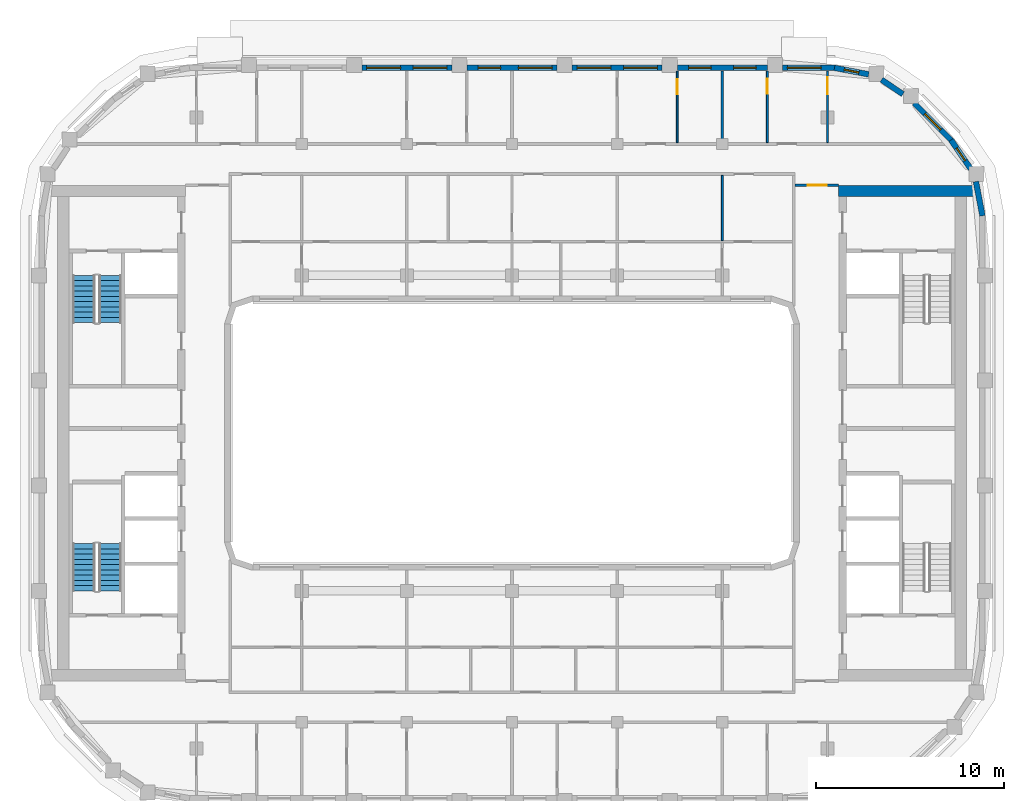
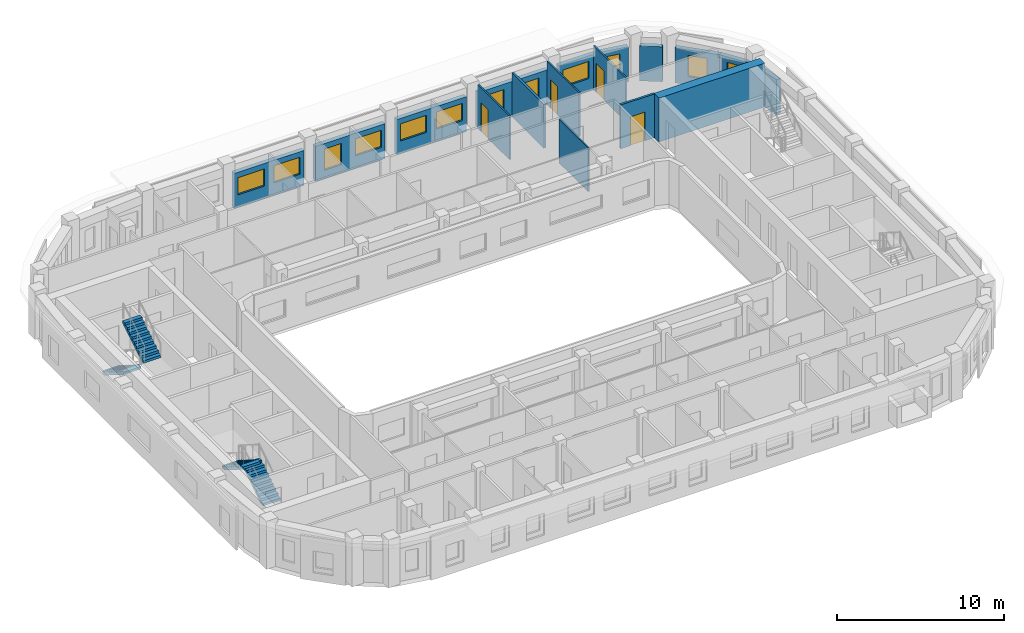
# One storey, part 8 of 16: 17 walls, 12 windows, 4 doors, 4 stair flights, 16 openings, 2 elements without a shape of their own.
"""IFC4 building model written with IfcOpenShell, lengths in metres."""

import ifcopenshell
import ifcopenshell.guid

model = None  # the IFC model being written
_history = None  # IfcOwnerHistory: only IFC2X3 demands one
_inside = {}  # id of a spatial element -> (the spatial element, [elements in it])
_under = {}  # id of a project, library or spatial element -> (it, [spatial elements below it])
_declared = {}  # id of a project -> (the project, [libraries it declares])
_typed = {}  # id of a type object -> (the type object, [elements of that type])
_made_of = {}  # id of a material, layer set ... -> (it, [elements and type objects made of it])


def new_model(schema):
    """Start an empty IFC model of exactly this schema.

    Asked for "IFC4X3", IfcOpenShell would pick the latest addendum, in which some entities
    have other attributes; the version numbers below select the first issue.
    IFC2X3 requires an IfcOwnerHistory on every rooted entity: one is made here for all.
    """
    global model, _history
    if schema == "IFC4X3":
        model = ifcopenshell.file(schema_version=(4, 3, 0, 0))
    else:
        model = ifcopenshell.file(schema=schema)
    _inside.clear()
    _under.clear()
    _declared.clear()
    _typed.clear()
    _made_of.clear()
    _history = None
    if model.schema == "IFC2X3":
        org = make("IfcOrganization", Name="unknown")
        user = make(
            "IfcPersonAndOrganization",
            ThePerson=make("IfcPerson", FamilyName="unknown"),
            TheOrganization=org,
        )
        app = make(
            "IfcApplication",
            ApplicationDeveloper=org,
            Version="unknown",
            ApplicationFullName="unknown",
            ApplicationIdentifier="unknown",
        )
        _history = make(
            "IfcOwnerHistory",
            OwningUser=user,
            OwningApplication=app,
            ChangeAction="ADDED",
            CreationDate=0,
        )
    return model


def make(cls, **values):
    """One entity of the class cls with the attributes given. An attribute that is None is left unset."""
    return model.create_entity(
        cls, **{name: value for name, value in values.items() if value is not None}
    )


def rooted(cls, **values):
    """An entity with a GlobalId (a new one), such as an element, a storey or a relation."""
    return make(cls, GlobalId=ifcopenshell.guid.new(), OwnerHistory=_history, **values)


def si_unit(unit_type, name, prefix=None):
    """IfcSIUnit, for example si_unit("LENGTHUNIT", "METRE", prefix="MILLI")."""
    return make("IfcSIUnit", UnitType=unit_type, Prefix=prefix, Name=name)


def assignment(units):
    """IfcUnitAssignment: the units of a project."""
    return None if units is None else make("IfcUnitAssignment", Units=units)


def point(xyz):
    """IfcCartesianPoint."""
    return None if xyz is None else make("IfcCartesianPoint", Coordinates=xyz)


def direction(xyz):
    """IfcDirection."""
    return None if xyz is None else make("IfcDirection", DirectionRatios=xyz)


def frame(location, z_axis=None, x_axis=None):
    """IfcAxis2Placement3D, a coordinate frame: its origin and axes. An axis left out is left unset."""
    return make(
        "IfcAxis2Placement3D",
        Location=point(location),
        Axis=direction(z_axis),
        RefDirection=direction(x_axis),
    )


def frame_2d(location, x_axis=None):
    """IfcAxis2Placement2D, a coordinate frame in the plane: its origin and x axis."""
    return make(
        "IfcAxis2Placement2D", Location=point(location), RefDirection=direction(x_axis)
    )


def origin():
    """The frame at (0, 0, 0) with its axes left unset."""
    return frame((0.0, 0.0, 0.0))


def place(relative_to, where):
    """IfcLocalPlacement: puts the frame where relative to a parent placement (None: the world)."""
    return make(
        "IfcLocalPlacement", PlacementRelTo=relative_to, RelativePlacement=where
    )


def context(
    kind, dimensions, precision=None, world=None, true_north=None, identifier=None
):
    """IfcGeometricRepresentationContext, for example the 3D "Model" context."""
    return make(
        "IfcGeometricRepresentationContext",
        ContextIdentifier=identifier,
        ContextType=kind,
        CoordinateSpaceDimension=dimensions,
        Precision=precision,
        WorldCoordinateSystem=world,
        TrueNorth=true_north,
    )


def subcontext(parent, identifier, kind, view, scale=None):
    """IfcGeometricRepresentationSubContext, for example "Body" below "Model"."""
    return make(
        "IfcGeometricRepresentationSubContext",
        ContextIdentifier=identifier,
        ContextType=kind,
        ParentContext=parent,
        TargetScale=scale,
        TargetView=view,
    )


def project(units=None, contexts=None):
    """IfcProject with its units and contexts."""
    return rooted(
        "IfcProject",
        Name="project",
        RepresentationContexts=contexts,
        UnitsInContext=assignment(units),
    )


def spatial(cls, under=None, at=None, **own):
    """A site, building, storey or space (cls), placed at a placement, below another one or the project."""
    s = rooted(cls, ObjectPlacement=at, **own)
    if under is not None:
        _under.setdefault(under.id(), (under, []))[1].append(s)
    return s


def polyline(points):
    """IfcPolyline through the points."""
    return make("IfcPolyline", Points=[point(p) for p in points])


def profile(cls, at=None, kind="AREA", **sizes):
    """A parametric profile (cls). Its sizes go by their IFC names, for example OverallWidth=200.0."""
    return make(cls, ProfileType=kind, Position=at, **sizes)


def rectangle(**sizes):
    """IfcRectangleProfileDef."""
    return profile("IfcRectangleProfileDef", **sizes)


def outline(outer, holes=None, kind="AREA"):
    """IfcArbitraryClosedProfileDef: a profile drawn as a closed curve; with holes, ...WithVoids."""
    if holes is None:
        return make("IfcArbitraryClosedProfileDef", ProfileType=kind, OuterCurve=outer)
    return make(
        "IfcArbitraryProfileDefWithVoids",
        ProfileType=kind,
        OuterCurve=outer,
        InnerCurves=holes,
    )


def extrude(swept, where, along, depth):
    """IfcExtrudedAreaSolid: the profile swept, set in the frame where, extruded along a direction by depth."""
    return make(
        "IfcExtrudedAreaSolid",
        SweptArea=swept,
        Position=where,
        ExtrudedDirection=direction(along),
        Depth=depth,
    )


def shape(context_of_items, identifier, shape_type, items):
    """IfcShapeRepresentation: the items that make up one representation, for example the "Body"."""
    return make(
        "IfcShapeRepresentation",
        ContextOfItems=context_of_items,
        RepresentationIdentifier=identifier,
        RepresentationType=shape_type,
        Items=items,
    )


def material(Name=None, Category=None):
    """IfcMaterial."""
    return make("IfcMaterial", Name=Name, Category=Category)


def layer(
    of_material, thickness, ventilated=None, Name=None, Category=None, Priority=None
):
    """IfcMaterialLayer: one layer of a wall or slab, of a material (None: an air gap)."""
    return make(
        "IfcMaterialLayer",
        Material=of_material,
        LayerThickness=thickness,
        IsVentilated=ventilated,
        Name=Name,
        Category=Category,
        Priority=Priority,
    )


def layer_set(layers, Name=None):
    """IfcMaterialLayerSet."""
    return make("IfcMaterialLayerSet", MaterialLayers=layers, LayerSetName=Name)


def made_of(thing, what):
    """Note that an element or type object is made of a material, layer set ...; save() writes the relation."""
    if what is not None:
        _made_of.setdefault(what.id(), (what, []))[1].append(thing)
    return thing


def type_object(cls, material=None, **own):
    """A type object (cls), such as IfcWallType, which elements share."""
    return made_of(rooted(cls, **own), material)


def element(
    cls,
    number,
    at=None,
    inside=None,
    cuts=None,
    type_object=None,
    material=None,
    context=None,
    identifier="Body",
    shape_type=None,
    held_by="IfcProductDefinitionShape",
    body=None,
    shapes=None,
    **own,
):
    """One element of the class cls, such as IfcWall. Its Tag is "e" and its number.

    at: its placement. inside: the storey or other place that contains it. cuts: it is an
    opening in that element (IfcRelVoidsElement). A single representation is given by context,
    identifier, shape_type and body (its items); several are given by shapes. held_by: the class
    of the entity that holds the representations. save() writes the other relations.
    """
    e = rooted(cls, Tag="e%d" % number, ObjectPlacement=at, **own)
    if body is not None:
        shapes = [shape(context, identifier, shape_type, body)]
    if shapes is not None:
        e.Representation = make(held_by, Representations=shapes)
    if inside is not None:
        _inside.setdefault(inside.id(), (inside, []))[1].append(e)
    if cuts is not None:
        rooted(
            "IfcRelVoidsElement", RelatingBuildingElement=cuts, RelatedOpeningElement=e
        )
    if type_object is not None:
        _typed.setdefault(type_object.id(), (type_object, []))[1].append(e)
    return made_of(e, material)


def fill(opening, filler):
    """IfcRelFillsElement: the door or window that sits in an opening."""
    return rooted(
        "IfcRelFillsElement",
        RelatingOpeningElement=opening,
        RelatedBuildingElement=filler,
    )


def aggregate(whole, parts):
    """IfcRelAggregates: a whole, such as a stair, and the parts it consists of."""
    return rooted("IfcRelAggregates", RelatingObject=whole, RelatedObjects=parts)


def save(model, path):
    """Write the relations noted so far, then the file.

    IfcRelAggregates (storeys below a building ...), IfcRelContainedInSpatialStructure (elements
    in a storey), IfcRelDefinesByType, IfcRelAssociatesMaterial and IfcRelDeclares: one each for
    every whole, place, type object, material and project.
    """
    for whole, parts in _under.values():
        aggregate(whole, parts)
    for where, things in _inside.values():
        rooted(
            "IfcRelContainedInSpatialStructure",
            RelatedElements=things,
            RelatingStructure=where,
        )
    for kind, things in _typed.values():
        rooted("IfcRelDefinesByType", RelatedObjects=things, RelatingType=kind)
    for what, things in _made_of.values():
        rooted("IfcRelAssociatesMaterial", RelatedObjects=things, RelatingMaterial=what)
    for by, libraries in _declared.values():
        rooted("IfcRelDeclares", RelatingContext=by, RelatedDefinitions=libraries)
    model.write(path)


model = new_model("IFC4")

# Units and contexts
model_context = context("Model", 3, precision=1e-05, world=origin(), true_north=direction((0.0, 1.0)))
body_context = subcontext(model_context, "Body", "Model", "MODEL_VIEW")
ifc_project = project(units=[si_unit("LENGTHUNIT", "METRE"), si_unit("AREAUNIT", "SQUARE_METRE"), si_unit("VOLUMEUNIT", "CUBIC_METRE"), si_unit("PLANEANGLEUNIT", "RADIAN"), si_unit("MASSUNIT", "GRAM", prefix="KILO")], contexts=[model_context])

# Site, building, storey
site_placement = place(None, origin())
site = spatial("IfcSite", under=ifc_project, at=site_placement, CompositionType="ELEMENT")
building_placement = place(site_placement, origin())
building = spatial("IfcBuilding", under=site, at=building_placement, Name="Kiln Ring Residences", CompositionType="ELEMENT")
storey_placement = place(building_placement, frame((0.0, 0.0, 259.199951171875)))
storey = spatial("IfcBuildingStorey", under=building, at=storey_placement, Name="L67", CompositionType="ELEMENT", Elevation=259.199951171875)

# Walls
ifc_material_1 = material(Name="Concrete C60/75", Category="concrete")
ifc_layer_1 = layer(ifc_material_1, 0.60009765625)
ifc_layer_set_1 = layer_set([ifc_layer_1], Name="CORE-WALL-RC600")
wall_type_1 = type_object("IfcWallType", Name="CORE-WALL-RC600", PredefinedType="SHEAR", material=ifc_layer_set_1)
wall_1_placement = place(storey_placement, frame((17.39990234375, 12.89990234375, 0.0), z_axis=(0.0, 0.0, 1.0), x_axis=(1.0, 0.0, 0.0)))
element("IfcWall", 1, at=wall_1_placement, inside=storey, type_object=wall_type_1, Name="Core wall east L67 4", PredefinedType="SHEAR", context=body_context, shape_type="SweptSolid", body=[
    extrude(rectangle(XDim=7.320068359375, YDim=0.60009765625, at=frame_2d((3.66015625, 0.0))), origin(), (0.0, 0.0, 1.0), 3.199951171875),
])
ifc_material_2 = material(Name="Brick masonry, dark clay brick", Category="masonry")
ifc_layer_2 = layer(ifc_material_2, 0.300048828125)
ifc_layer_set_2 = layer_set([ifc_layer_2], Name="EW-300 BRICK WALL")
wall_type_2 = type_object("IfcWallType", Name="EW-300 BRICK WALL", PredefinedType="SOLIDWALL", material=ifc_layer_set_2)
wall_2_placement = place(storey_placement, frame((25.052734375, 11.57177734375, 0.0), z_axis=(0.0, 0.0, 1.0), x_axis=(-0.187408222942, 0.982282117303, 0.0)))
element("IfcWall", 2, at=wall_2_placement, inside=storey, type_object=wall_type_2, Name="Facade wall L67 21", PredefinedType="SOLIDWALL", context=body_context, shape_type="SweptSolid", body=[
    extrude(rectangle(XDim=1.8564453125, YDim=0.300048828125, at=frame_2d((0.92822265625, 0.0))), origin(), (0.0, 0.0, 1.0), 2.550048828125),
])

# Wall, opening, window
wall_3_placement = place(storey_placement, frame((24.422119140625, 14.07763671875, 0.0), z_axis=(0.0, 0.0, 1.0), x_axis=(-0.562054549384, 0.827100165347, 0.0)))
wall_3 = element("IfcWall", 3, at=wall_3_placement, inside=storey, type_object=wall_type_2, Name="Facade wall L67 22", PredefinedType="SOLIDWALL", context=body_context, shape_type="SweptSolid", body=[
    extrude(rectangle(XDim=1.85595703125, YDim=0.300048828125, at=frame_2d((0.927978515625, 0.0))), origin(), (0.0, 0.0, 1.0), 2.550048828125),
])
opening_1_placement = place(wall_3_placement, frame((0.528076171875, 0.0, 0.60009765625)))
opening_1 = element("IfcOpeningElement", 4, at=opening_1_placement, cuts=wall_3, Name="Opening W5", PredefinedType="OPENING", context=body_context, shape_type="SweptSolid", body=[
    extrude(rectangle(XDim=0.800048828125, YDim=1.550048828125, at=frame_2d((0.39990234375, 0.77490234375))), frame((0.0, 0.159912109375, 0.0), z_axis=(0.0, -1.0, 0.0), x_axis=(1.0, 0.0, 0.0)), (0.0, 0.0, 1.0), 0.320068359375),
])
ifc_material_3 = material(Name="Aluminium frame with double glazing", Category="aluminium")
window_type_1 = type_object("IfcWindowType", Name="WINDOW 800 x 1550", PartitioningType="SINGLE_PANEL", PredefinedType="WINDOW", material=ifc_material_3)
window_1_placement = place(opening_1_placement, origin())
window_1 = element("IfcWindow", 5, at=window_1_placement, inside=storey, type_object=window_type_1, Name="Window L67 18", OverallHeight=1.550048828125, OverallWidth=0.800048828125, PartitioningType="SINGLE_PANEL", PredefinedType="WINDOW", context=body_context, shape_type="SweptSolid", body=[
    extrude(rectangle(XDim=0.800048828125, YDim=1.550048828125, at=frame_2d((0.39990234375, 0.77490234375))), frame((0.0, 0.030029296875, 0.0), z_axis=(0.0, -1.0, 0.0), x_axis=(1.0, 0.0, 0.0)), (0.0, 0.0, 1.0), 0.06005859375),
])
fill(opening_1, window_1)

wall_4_placement = place(storey_placement, frame((23.39697265625, 15.591064453125, 0.0), z_axis=(0.0, 0.0, 1.0), x_axis=(-0.707150377276, 0.707063182409, 0.0)))
wall_4 = element("IfcWall", 6, at=wall_4_placement, inside=storey, type_object=wall_type_2, Name="Facade wall L67 23", PredefinedType="SOLIDWALL", context=body_context, shape_type="SweptSolid", body=[
    extrude(rectangle(XDim=2.800048828125, YDim=0.300048828125, at=frame_2d((1.39990234375, 0.0))), origin(), (0.0, 0.0, 1.0), 2.550048828125),
])
opening_2_placement = place(wall_4_placement, frame((0.800048828125, 0.0, 0.60009765625)))
opening_2 = element("IfcOpeningElement", 7, at=opening_2_placement, cuts=wall_4, Name="Opening W1", PredefinedType="OPENING", context=body_context, shape_type="SweptSolid", body=[
    extrude(rectangle(XDim=1.199951171875, YDim=1.550048828125, at=frame_2d((0.60009765625, 0.77490234375))), frame((0.0, 0.159912109375, 0.0), z_axis=(0.0, -1.0, 0.0), x_axis=(1.0, 0.0, 0.0)), (0.0, 0.0, 1.0), 0.320068359375),
])
ifc_material_4 = material(Name="Aluminium frame with double glazing", Category="aluminium")
window_type_2 = type_object("IfcWindowType", Name="WINDOW 1200 x 1550", PartitioningType="SINGLE_PANEL", PredefinedType="WINDOW", material=ifc_material_4)
window_2_placement = place(opening_2_placement, origin())
window_2 = element("IfcWindow", 8, at=window_2_placement, inside=storey, type_object=window_type_2, Name="Window L67 19", OverallHeight=1.550048828125, OverallWidth=1.199951171875, PartitioningType="SINGLE_PANEL", PredefinedType="WINDOW", context=body_context, shape_type="SweptSolid", body=[
    extrude(rectangle(XDim=1.199951171875, YDim=1.550048828125, at=frame_2d((0.60009765625, 0.77490234375))), frame((0.0, 0.030029296875, 0.0), z_axis=(0.0, -1.0, 0.0), x_axis=(1.0, 0.0, 0.0)), (0.0, 0.0, 1.0), 0.06005859375),
])
fill(opening_2, window_2)

# Wall
wall_5_placement = place(storey_placement, frame((20.816650390625, 18.048095703125, 0.0), z_axis=(0.0, 0.0, 1.0), x_axis=(-0.827025410886, 0.562164539747, 0.0)))
element("IfcWall", 9, at=wall_5_placement, inside=storey, type_object=wall_type_2, Name="Facade wall L67 24", PredefinedType="SOLIDWALL", context=body_context, shape_type="SweptSolid", body=[
    extrude(rectangle(XDim=1.377197265625, YDim=0.300048828125, at=frame_2d((0.6884765625, 0.0))), origin(), (0.0, 0.0, 1.0), 2.550048828125),
])

# Wall, opening, window
wall_6_placement = place(storey_placement, frame((18.9951171875, 19.10498046875, 0.0), z_axis=(0.0, 0.0, 1.0), x_axis=(-0.982301706131, 0.187305520826, 0.0)))
wall_6 = element("IfcWall", 10, at=wall_6_placement, inside=storey, type_object=wall_type_2, Name="Facade wall L67 25", PredefinedType="SOLIDWALL", context=body_context, shape_type="SweptSolid", body=[
    extrude(rectangle(XDim=1.856201171875, YDim=0.300048828125, at=frame_2d((0.92822265625, 0.0))), origin(), (0.0, 0.0, 1.0), 2.550048828125),
])
opening_3_placement = place(wall_6_placement, frame((0.528076171875, 0.0, 0.60009765625)))
opening_3 = element("IfcOpeningElement", 11, at=opening_3_placement, cuts=wall_6, Name="Opening W5", PredefinedType="OPENING", context=body_context, shape_type="SweptSolid", body=[
    extrude(rectangle(XDim=0.800048828125, YDim=1.550048828125, at=frame_2d((0.39990234375, 0.77490234375))), frame((0.0, 0.159912109375, 0.0), z_axis=(0.0, -1.0, 0.0), x_axis=(1.0, 0.0, 0.0)), (0.0, 0.0, 1.0), 0.320068359375),
])
window_3_placement = place(opening_3_placement, origin())
window_3 = element("IfcWindow", 12, at=window_3_placement, inside=storey, type_object=window_type_1, Name="Window L67 20", OverallHeight=1.550048828125, OverallWidth=0.800048828125, PartitioningType="SINGLE_PANEL", PredefinedType="WINDOW", context=body_context, shape_type="SweptSolid", body=[
    extrude(rectangle(XDim=0.800048828125, YDim=1.550048828125, at=frame_2d((0.39990234375, 0.77490234375))), frame((0.0, 0.030029296875, 0.0), z_axis=(0.0, -1.0, 0.0), x_axis=(1.0, 0.0, 0.0)), (0.0, 0.0, 1.0), 0.06005859375),
])
fill(opening_3, window_3)

wall_7_placement = place(storey_placement, frame((17.199951171875, 19.449951171875, 0.0), z_axis=(0.0, 0.0, 1.0), x_axis=(-1.0, 0.0, 0.0)))
wall_7 = element("IfcWall", 13, at=wall_7_placement, inside=storey, type_object=wall_type_2, Name="Facade wall L67 26", PredefinedType="SOLIDWALL", context=body_context, shape_type="SweptSolid", body=[
    extrude(rectangle(XDim=2.800048828125, YDim=0.300048828125, at=frame_2d((1.39990234375, 0.0))), origin(), (0.0, 0.0, 1.0), 2.550048828125),
])
opening_4_placement = place(wall_7_placement, frame((0.737548828125, 0.0, 0.89990234375)))
opening_4 = element("IfcOpeningElement", 14, at=opening_4_placement, cuts=wall_7, Name="Opening W2", PredefinedType="OPENING", context=body_context, shape_type="SweptSolid", body=[
    extrude(rectangle(XDim=1.800048828125, YDim=1.25, at=frame_2d((0.89990234375, 0.625))), frame((0.0, 0.159912109375, 0.0), z_axis=(0.0, -1.0, 0.0), x_axis=(1.0, 0.0, 0.0)), (0.0, 0.0, 1.0), 0.320068359375),
])
ifc_material_5 = material(Name="Aluminium frame with double glazing", Category="aluminium")
window_type_3 = type_object("IfcWindowType", Name="WINDOW 1800 x 1250", PartitioningType="SINGLE_PANEL", PredefinedType="WINDOW", material=ifc_material_5)
window_4_placement = place(opening_4_placement, origin())
window_4 = element("IfcWindow", 15, at=window_4_placement, inside=storey, type_object=window_type_3, Name="Window L67 21", OverallHeight=1.25, OverallWidth=1.800048828125, PartitioningType="SINGLE_PANEL", PredefinedType="WINDOW", context=body_context, shape_type="SweptSolid", body=[
    extrude(rectangle(XDim=1.800048828125, YDim=1.25, at=frame_2d((0.89990234375, 0.625))), frame((0.0, 0.030029296875, 0.0), z_axis=(0.0, -1.0, 0.0), x_axis=(1.0, 0.0, 0.0)), (0.0, 0.0, 1.0), 0.06005859375),
])
fill(opening_4, window_4)

# Wall, openings, windows
wall_8_placement = place(storey_placement, frame((13.60009765625, 19.449951171875, 0.0), z_axis=(0.0, 0.0, 1.0), x_axis=(-1.0, 0.0, 0.0)))
wall_8 = element("IfcWall", 16, at=wall_8_placement, inside=storey, type_object=wall_type_2, Name="Facade wall L67 27", PredefinedType="SOLIDWALL", context=body_context, shape_type="SweptSolid", body=[
    extrude(rectangle(XDim=4.800048828125, YDim=0.300048828125, at=frame_2d((2.39990234375, 0.0))), origin(), (0.0, 0.0, 1.0), 2.550048828125),
])
opening_5_placement = place(wall_8_placement, frame((0.60009765625, 0.0, 0.60009765625)))
opening_5 = element("IfcOpeningElement", 17, at=opening_5_placement, cuts=wall_8, Name="Opening W1", PredefinedType="OPENING", context=body_context, shape_type="SweptSolid", body=[
    extrude(rectangle(XDim=1.199951171875, YDim=1.550048828125, at=frame_2d((0.60009765625, 0.77490234375))), frame((0.0, 0.159912109375, 0.0), z_axis=(0.0, -1.0, 0.0), x_axis=(1.0, 0.0, 0.0)), (0.0, 0.0, 1.0), 0.320068359375),
])
opening_6_placement = place(wall_8_placement, frame((3.0, 0.0, 0.60009765625)))
opening_6 = element("IfcOpeningElement", 18, at=opening_6_placement, cuts=wall_8, Name="Opening W1", PredefinedType="OPENING", context=body_context, shape_type="SweptSolid", body=[
    extrude(rectangle(XDim=1.199951171875, YDim=1.550048828125, at=frame_2d((0.60009765625, 0.77490234375))), frame((0.0, 0.159912109375, 0.0), z_axis=(0.0, -1.0, 0.0), x_axis=(1.0, 0.0, 0.0)), (0.0, 0.0, 1.0), 0.320068359375),
])
window_5_placement = place(opening_5_placement, origin())
window_5 = element("IfcWindow", 19, at=window_5_placement, inside=storey, type_object=window_type_2, Name="Window L67 22", OverallHeight=1.550048828125, OverallWidth=1.199951171875, PartitioningType="SINGLE_PANEL", PredefinedType="WINDOW", context=body_context, shape_type="SweptSolid", body=[
    extrude(rectangle(XDim=1.199951171875, YDim=1.550048828125, at=frame_2d((0.60009765625, 0.77490234375))), frame((0.0, 0.030029296875, 0.0), z_axis=(0.0, -1.0, 0.0), x_axis=(1.0, 0.0, 0.0)), (0.0, 0.0, 1.0), 0.06005859375),
])
fill(opening_5, window_5)
window_6_placement = place(opening_6_placement, origin())
window_6 = element("IfcWindow", 20, at=window_6_placement, inside=storey, type_object=window_type_2, Name="Window L67 23", OverallHeight=1.550048828125, OverallWidth=1.199951171875, PartitioningType="SINGLE_PANEL", PredefinedType="WINDOW", context=body_context, shape_type="SweptSolid", body=[
    extrude(rectangle(XDim=1.199951171875, YDim=1.550048828125, at=frame_2d((0.60009765625, 0.77490234375))), frame((0.0, 0.030029296875, 0.0), z_axis=(0.0, -1.0, 0.0), x_axis=(1.0, 0.0, 0.0)), (0.0, 0.0, 1.0), 0.06005859375),
])
fill(opening_6, window_6)

wall_9_placement = place(storey_placement, frame((8.0, 19.449951171875, 0.0), z_axis=(0.0, 0.0, 1.0), x_axis=(-1.0, 0.0, 0.0)))
wall_9 = element("IfcWall", 21, at=wall_9_placement, inside=storey, type_object=wall_type_2, Name="Facade wall L67 28", PredefinedType="SOLIDWALL", context=body_context, shape_type="SweptSolid", body=[
    extrude(rectangle(XDim=4.800048828125, YDim=0.300048828125, at=frame_2d((2.39990234375, 0.0))), origin(), (0.0, 0.0, 1.0), 2.550048828125),
])
opening_7_placement = place(wall_9_placement, frame((0.262451171875, 0.0, 0.89990234375)))
opening_7 = element("IfcOpeningElement", 22, at=opening_7_placement, cuts=wall_9, Name="Opening W2", PredefinedType="OPENING", context=body_context, shape_type="SweptSolid", body=[
    extrude(rectangle(XDim=1.800048828125, YDim=1.25, at=frame_2d((0.89990234375, 0.625))), frame((0.0, 0.159912109375, 0.0), z_axis=(0.0, -1.0, 0.0), x_axis=(1.0, 0.0, 0.0)), (0.0, 0.0, 1.0), 0.320068359375),
])
opening_8_placement = place(wall_9_placement, frame((2.737548828125, 0.0, 0.89990234375)))
opening_8 = element("IfcOpeningElement", 23, at=opening_8_placement, cuts=wall_9, Name="Opening W2", PredefinedType="OPENING", context=body_context, shape_type="SweptSolid", body=[
    extrude(rectangle(XDim=1.800048828125, YDim=1.25, at=frame_2d((0.89990234375, 0.625))), frame((0.0, 0.159912109375, 0.0), z_axis=(0.0, -1.0, 0.0), x_axis=(1.0, 0.0, 0.0)), (0.0, 0.0, 1.0), 0.320068359375),
])
window_7_placement = place(opening_7_placement, origin())
window_7 = element("IfcWindow", 24, at=window_7_placement, inside=storey, type_object=window_type_3, Name="Window L67 24", OverallHeight=1.25, OverallWidth=1.800048828125, PartitioningType="SINGLE_PANEL", PredefinedType="WINDOW", context=body_context, shape_type="SweptSolid", body=[
    extrude(rectangle(XDim=1.800048828125, YDim=1.25, at=frame_2d((0.89990234375, 0.625))), frame((0.0, 0.030029296875, 0.0), z_axis=(0.0, -1.0, 0.0), x_axis=(1.0, 0.0, 0.0)), (0.0, 0.0, 1.0), 0.06005859375),
])
fill(opening_7, window_7)
window_8_placement = place(opening_8_placement, origin())
window_8 = element("IfcWindow", 25, at=window_8_placement, inside=storey, type_object=window_type_3, Name="Window L67 25", OverallHeight=1.25, OverallWidth=1.800048828125, PartitioningType="SINGLE_PANEL", PredefinedType="WINDOW", context=body_context, shape_type="SweptSolid", body=[
    extrude(rectangle(XDim=1.800048828125, YDim=1.25, at=frame_2d((0.89990234375, 0.625))), frame((0.0, 0.030029296875, 0.0), z_axis=(0.0, -1.0, 0.0), x_axis=(1.0, 0.0, 0.0)), (0.0, 0.0, 1.0), 0.06005859375),
])
fill(opening_8, window_8)

wall_10_placement = place(storey_placement, frame((2.39990234375, 19.449951171875, 0.0), z_axis=(0.0, 0.0, 1.0), x_axis=(-1.0, 0.0, 0.0)))
wall_10 = element("IfcWall", 26, at=wall_10_placement, inside=storey, type_object=wall_type_2, Name="Facade wall L67 29", PredefinedType="SOLIDWALL", context=body_context, shape_type="SweptSolid", body=[
    extrude(rectangle(XDim=4.7998046875, YDim=0.300048828125, at=frame_2d((2.39990234375, 0.0))), origin(), (0.0, 0.0, 1.0), 2.550048828125),
])
opening_9_placement = place(wall_10_placement, frame((0.262451171875, 0.0, 0.89990234375)))
opening_9 = element("IfcOpeningElement", 27, at=opening_9_placement, cuts=wall_10, Name="Opening W2", PredefinedType="OPENING", context=body_context, shape_type="SweptSolid", body=[
    extrude(rectangle(XDim=1.800048828125, YDim=1.25, at=frame_2d((0.89990234375, 0.625))), frame((0.0, 0.159912109375, 0.0), z_axis=(0.0, -1.0, 0.0), x_axis=(1.0, 0.0, 0.0)), (0.0, 0.0, 1.0), 0.320068359375),
])
opening_10_placement = place(wall_10_placement, frame((3.0, 0.0, 0.60009765625)))
opening_10 = element("IfcOpeningElement", 28, at=opening_10_placement, cuts=wall_10, Name="Opening W1", PredefinedType="OPENING", context=body_context, shape_type="SweptSolid", body=[
    extrude(rectangle(XDim=1.199951171875, YDim=1.550048828125, at=frame_2d((0.60009765625, 0.77490234375))), frame((0.0, 0.159912109375, 0.0), z_axis=(0.0, -1.0, 0.0), x_axis=(1.0, 0.0, 0.0)), (0.0, 0.0, 1.0), 0.320068359375),
])
window_9_placement = place(opening_10_placement, origin())
window_9 = element("IfcWindow", 29, at=window_9_placement, inside=storey, type_object=window_type_2, Name="Window L67 27", OverallHeight=1.550048828125, OverallWidth=1.199951171875, PartitioningType="SINGLE_PANEL", PredefinedType="WINDOW", context=body_context, shape_type="SweptSolid", body=[
    extrude(rectangle(XDim=1.199951171875, YDim=1.550048828125, at=frame_2d((0.60009765625, 0.77490234375))), frame((0.0, 0.030029296875, 0.0), z_axis=(0.0, -1.0, 0.0), x_axis=(1.0, 0.0, 0.0)), (0.0, 0.0, 1.0), 0.06005859375),
])
fill(opening_10, window_9)
window_10_placement = place(opening_9_placement, origin())
window_10 = element("IfcWindow", 30, at=window_10_placement, inside=storey, type_object=window_type_3, Name="Window L67 26", OverallHeight=1.25, OverallWidth=1.800048828125, PartitioningType="SINGLE_PANEL", PredefinedType="WINDOW", context=body_context, shape_type="SweptSolid", body=[
    extrude(rectangle(XDim=1.800048828125, YDim=1.25, at=frame_2d((0.89990234375, 0.625))), frame((0.0, 0.030029296875, 0.0), z_axis=(0.0, -1.0, 0.0), x_axis=(1.0, 0.0, 0.0)), (0.0, 0.0, 1.0), 0.06005859375),
])
fill(opening_9, window_10)

wall_11_placement = place(storey_placement, frame((-3.199951171875, 19.449951171875, 0.0), z_axis=(0.0, 0.0, 1.0), x_axis=(-1.0, 0.0, 0.0)))
wall_11 = element("IfcWall", 31, at=wall_11_placement, inside=storey, type_object=wall_type_2, Name="Facade wall L67 30", PredefinedType="SOLIDWALL", context=body_context, shape_type="SweptSolid", body=[
    extrude(rectangle(XDim=4.800048828125, YDim=0.300048828125, at=frame_2d((2.39990234375, 0.0))), origin(), (0.0, 0.0, 1.0), 2.550048828125),
])
opening_11_placement = place(wall_11_placement, frame((0.262451171875, 0.0, 0.89990234375)))
opening_11 = element("IfcOpeningElement", 32, at=opening_11_placement, cuts=wall_11, Name="Opening W2", PredefinedType="OPENING", context=body_context, shape_type="SweptSolid", body=[
    extrude(rectangle(XDim=1.800048828125, YDim=1.25, at=frame_2d((0.89990234375, 0.625))), frame((0.0, 0.159912109375, 0.0), z_axis=(0.0, -1.0, 0.0), x_axis=(1.0, 0.0, 0.0)), (0.0, 0.0, 1.0), 0.320068359375),
])
opening_12_placement = place(wall_11_placement, frame((2.737548828125, 0.0, 0.89990234375)))
opening_12 = element("IfcOpeningElement", 33, at=opening_12_placement, cuts=wall_11, Name="Opening W2", PredefinedType="OPENING", context=body_context, shape_type="SweptSolid", body=[
    extrude(rectangle(XDim=1.800048828125, YDim=1.25, at=frame_2d((0.89990234375, 0.625))), frame((0.0, 0.159912109375, 0.0), z_axis=(0.0, -1.0, 0.0), x_axis=(1.0, 0.0, 0.0)), (0.0, 0.0, 1.0), 0.320068359375),
])
window_11_placement = place(opening_11_placement, origin())
window_11 = element("IfcWindow", 34, at=window_11_placement, inside=storey, type_object=window_type_3, Name="Window L67 28", OverallHeight=1.25, OverallWidth=1.800048828125, PartitioningType="SINGLE_PANEL", PredefinedType="WINDOW", context=body_context, shape_type="SweptSolid", body=[
    extrude(rectangle(XDim=1.800048828125, YDim=1.25, at=frame_2d((0.89990234375, 0.625))), frame((0.0, 0.030029296875, 0.0), z_axis=(0.0, -1.0, 0.0), x_axis=(1.0, 0.0, 0.0)), (0.0, 0.0, 1.0), 0.06005859375),
])
fill(opening_11, window_11)
window_12_placement = place(opening_12_placement, origin())
window_12 = element("IfcWindow", 35, at=window_12_placement, inside=storey, type_object=window_type_3, Name="Window L67 29", OverallHeight=1.25, OverallWidth=1.800048828125, PartitioningType="SINGLE_PANEL", PredefinedType="WINDOW", context=body_context, shape_type="SweptSolid", body=[
    extrude(rectangle(XDim=1.800048828125, YDim=1.25, at=frame_2d((0.89990234375, 0.625))), frame((0.0, 0.030029296875, 0.0), z_axis=(0.0, -1.0, 0.0), x_axis=(1.0, 0.0, 0.0)), (0.0, 0.0, 1.0), 0.06005859375),
])
fill(opening_12, window_12)

# Wall, opening, door
ifc_material_6 = material(Name="Gypsum board on steel studs", Category="steel")
ifc_layer_3 = layer(ifc_material_6, 0.10009765625)
ifc_layer_set_3 = layer_set([ifc_layer_3], Name="PARTITION-100")
wall_type_3 = type_object("IfcWallType", Name="PARTITION-100", PredefinedType="PARTITIONING", material=ifc_layer_set_3)
wall_12_placement = place(storey_placement, frame((8.800048828125, 15.47509765625, 0.0), z_axis=(0.0, 0.0, 1.0), x_axis=(0.0, 1.0, 0.0)))
wall_12 = element("IfcWall", 36, at=wall_12_placement, inside=storey, type_object=wall_type_3, Name="Partition 047", PredefinedType="PARTITIONING", context=body_context, shape_type="SweptSolid", body=[
    extrude(rectangle(XDim=3.804931640625, YDim=0.10009765625, at=frame_2d((1.90234375, 0.0))), origin(), (0.0, 0.0, 1.0), 3.199951171875),
])
opening_13_placement = place(wall_12_placement, frame((2.575927734375, 0.0, 0.0)))
opening_13 = element("IfcOpeningElement", 37, at=opening_13_placement, cuts=wall_12, Name="Opening L67-D026", PredefinedType="OPENING", context=body_context, shape_type="SweptSolid", body=[
    extrude(rectangle(XDim=0.800048828125, YDim=2.10009765625, at=frame_2d((0.39990234375, 1.050048828125))), frame((0.0, 0.06005859375, 0.0), z_axis=(0.0, -1.0, 0.0), x_axis=(1.0, 0.0, 0.0)), (0.0, 0.0, 1.0), 0.1201171875),
])
ifc_material_7 = material(Name="Timber door leaf", Category="wood")
door_type_1 = type_object("IfcDoorType", Name="FLAT-DOOR-800-PL", OperationType="SINGLE_SWING_LEFT", PredefinedType="DOOR", material=ifc_material_7)
door_1_placement = place(opening_13_placement, origin())
door_1 = element("IfcDoor", 38, at=door_1_placement, inside=storey, type_object=door_type_1, Name="Door L67-D026", OperationType="SINGLE_SWING_RIGHT", OverallHeight=2.10009765625, OverallWidth=0.800048828125, PredefinedType="DOOR", context=body_context, shape_type="SweptSolid", body=[
    extrude(rectangle(XDim=0.800048828125, YDim=2.10009765625, at=frame_2d((0.39990234375, 1.050048828125))), frame((0.0, 0.02490234375, 0.0), z_axis=(0.0, -1.0, 0.0), x_axis=(1.0, 0.0, 0.0)), (0.0, 0.0, 1.0), 0.050048828125),
])
fill(opening_13, door_1)

# Wall
wall_13_placement = place(storey_placement, frame((11.199951171875, 10.25, 0.0), z_axis=(0.0, 0.0, 1.0), x_axis=(0.0, 1.0, 0.0)))
element("IfcWall", 39, at=wall_13_placement, inside=storey, type_object=wall_type_3, Name="Partition 051", PredefinedType="PARTITIONING", context=body_context, shape_type="SweptSolid", body=[
    extrude(rectangle(XDim=3.47509765625, YDim=0.10009765625, at=frame_2d((1.737548828125, 0.0))), origin(), (0.0, 0.0, 1.0), 3.199951171875),
])

# Wall, opening, door
wall_14_placement = place(storey_placement, frame((13.60009765625, 15.47509765625, 0.0), z_axis=(0.0, 0.0, 1.0), x_axis=(0.0, 1.0, 0.0)))
wall_14 = element("IfcWall", 40, at=wall_14_placement, inside=storey, type_object=wall_type_3, Name="Partition 055", PredefinedType="PARTITIONING", context=body_context, shape_type="SweptSolid", body=[
    extrude(rectangle(XDim=3.804931640625, YDim=0.10009765625, at=frame_2d((1.90234375, 0.0))), origin(), (0.0, 0.0, 1.0), 3.199951171875),
])
opening_14_placement = place(wall_14_placement, frame((2.5849609375, 0.0, 0.0)))
opening_14 = element("IfcOpeningElement", 41, at=opening_14_placement, cuts=wall_14, Name="Opening L67-D029", PredefinedType="OPENING", context=body_context, shape_type="SweptSolid", body=[
    extrude(rectangle(XDim=0.800048828125, YDim=2.10009765625, at=frame_2d((0.39990234375, 1.050048828125))), frame((0.0, 0.06005859375, 0.0), z_axis=(0.0, -1.0, 0.0), x_axis=(1.0, 0.0, 0.0)), (0.0, 0.0, 1.0), 0.1201171875),
])
door_2_placement = place(opening_14_placement, origin())
door_2 = element("IfcDoor", 42, at=door_2_placement, inside=storey, type_object=door_type_1, Name="Door L67-D029", OperationType="SINGLE_SWING_LEFT", OverallHeight=2.10009765625, OverallWidth=0.800048828125, PredefinedType="DOOR", context=body_context, shape_type="SweptSolid", body=[
    extrude(rectangle(XDim=0.800048828125, YDim=2.10009765625, at=frame_2d((0.39990234375, 1.050048828125))), frame((0.0, 0.02490234375, 0.0), z_axis=(0.0, -1.0, 0.0), x_axis=(1.0, 0.0, 0.0)), (0.0, 0.0, 1.0), 0.050048828125),
])
fill(opening_14, door_2)

wall_15_placement = place(storey_placement, frame((16.800048828125, 15.47509765625, 0.0), z_axis=(0.0, 0.0, 1.0), x_axis=(0.0, 1.0, 0.0)))
wall_15 = element("IfcWall", 43, at=wall_15_placement, inside=storey, type_object=wall_type_3, Name="Partition 059", PredefinedType="PARTITIONING", context=body_context, shape_type="SweptSolid", body=[
    extrude(rectangle(XDim=3.804931640625, YDim=0.10009765625, at=frame_2d((1.90234375, 0.0))), origin(), (0.0, 0.0, 1.0), 3.199951171875),
])
opening_15_placement = place(wall_15_placement, frame((2.575927734375, 0.0, 0.0)))
opening_15 = element("IfcOpeningElement", 44, at=opening_15_placement, cuts=wall_15, Name="Opening L67-D030", PredefinedType="OPENING", context=body_context, shape_type="SweptSolid", body=[
    extrude(rectangle(XDim=0.89990234375, YDim=2.10009765625, at=frame_2d((0.449951171875, 1.050048828125))), frame((0.0, 0.06005859375, 0.0), z_axis=(0.0, -1.0, 0.0), x_axis=(1.0, 0.0, 0.0)), (0.0, 0.0, 1.0), 0.1201171875),
])
ifc_material_8 = material(Name="Timber door leaf", Category="wood")
door_type_2 = type_object("IfcDoorType", Name="FLAT-DOOR-900-PL", OperationType="SINGLE_SWING_LEFT", PredefinedType="DOOR", material=ifc_material_8)
door_3_placement = place(opening_15_placement, origin())
door_3 = element("IfcDoor", 45, at=door_3_placement, inside=storey, type_object=door_type_2, Name="Door L67-D030", OperationType="SINGLE_SWING_RIGHT", OverallHeight=2.10009765625, OverallWidth=0.89990234375, PredefinedType="DOOR", context=body_context, shape_type="SweptSolid", body=[
    extrude(rectangle(XDim=0.89990234375, YDim=2.10009765625, at=frame_2d((0.449951171875, 1.050048828125))), frame((0.0, 0.02490234375, 0.0), z_axis=(0.0, -1.0, 0.0), x_axis=(1.0, 0.0, 0.0)), (0.0, 0.0, 1.0), 0.050048828125),
])
fill(opening_15, door_3)

ifc_material_9 = material(Name="Brick masonry partition", Category="masonry")
ifc_layer_4 = layer(ifc_material_9, 0.14990234375)
ifc_layer_set_4 = layer_set([ifc_layer_4], Name="PARTITION-150-ei60")
wall_type_4 = type_object("IfcWallType", Name="PARTITION-150-ei60", PredefinedType="PARTITIONING", material=ifc_layer_set_4)
wall_16_placement = place(storey_placement, frame((15.074951171875, 13.199951171875, 0.0), z_axis=(0.0, 0.0, 1.0), x_axis=(1.0, 0.0, 0.0)))
wall_16 = element("IfcWall", 46, at=wall_16_placement, inside=storey, type_object=wall_type_4, Name="Partition 007", PredefinedType="PARTITIONING", context=body_context, shape_type="SweptSolid", body=[
    extrude(rectangle(XDim=2.324951171875, YDim=0.14990234375, at=frame_2d((1.16259765625, 0.0))), origin(), (0.0, 0.0, 1.0), 3.199951171875),
])
opening_16_placement = place(wall_16_placement, frame((0.675048828125, 0.0, 0.0)))
opening_16 = element("IfcOpeningElement", 47, at=opening_16_placement, cuts=wall_16, Name="Opening L67-D002", PredefinedType="OPENING", context=body_context, shape_type="SweptSolid", body=[
    extrude(rectangle(XDim=1.0, YDim=2.10009765625, at=frame_2d((0.5, 1.050048828125))), frame((0.0, 0.0849609375, 0.0), z_axis=(0.0, -1.0, 0.0), x_axis=(1.0, 0.0, 0.0)), (0.0, 0.0, 1.0), 0.169921875),
])
ifc_material_10 = material(Name="Steel faced fire door leaf", Category="steel")
door_type_3 = type_object("IfcDoorType", Name="FLAT-DOOR-1000-FR", OperationType="SINGLE_SWING_LEFT", PredefinedType="DOOR", material=ifc_material_10)
door_4_placement = place(opening_16_placement, origin())
door_4 = element("IfcDoor", 48, at=door_4_placement, inside=storey, type_object=door_type_3, Name="Door L67-D002", OperationType="SINGLE_SWING_LEFT", OverallHeight=2.10009765625, OverallWidth=1.0, PredefinedType="DOOR", context=body_context, shape_type="SweptSolid", body=[
    extrude(rectangle(XDim=1.0, YDim=2.10009765625, at=frame_2d((0.5, 1.050048828125))), frame((0.0, 0.02490234375, 0.0), z_axis=(0.0, -1.0, 0.0), x_axis=(1.0, 0.0, 0.0)), (0.0, 0.0, 1.0), 0.050048828125),
])
fill(opening_16, door_4)

# Wall
wall_17_placement = place(storey_placement, frame((11.199951171875, 15.47509765625, 0.0), z_axis=(0.0, 0.0, 1.0), x_axis=(0.0, 1.0, 0.0)))
element("IfcWall", 49, at=wall_17_placement, inside=storey, type_object=wall_type_4, Name="Partition 053", PredefinedType="PARTITIONING", context=body_context, shape_type="SweptSolid", body=[
    extrude(rectangle(XDim=3.804931640625, YDim=0.14990234375, at=frame_2d((1.90234375, 0.0))), origin(), (0.0, 0.0, 1.0), 3.199951171875),
])

# Stair, stair flights
ifc_material_11 = material(Name="Concrete C40/50", Category="concrete")
stair_type = type_object("IfcStairType", Name="CORE-STAIR", PredefinedType="HALF_TURN_STAIR", material=ifc_material_11)
placement = place(storey_placement, origin())
stair_1 = element("IfcStair", 50, at=placement, inside=storey, type_object=stair_type, Name="L67 stair W-STN", PredefinedType="HALF_TURN_STAIR")
ifc_material_12 = material(Name="Concrete C40/50", Category="concrete")
stair_flight_type = type_object("IfcStairFlightType", Name="CORE-STAIR-FLIGHT", PredefinedType="STRAIGHT", material=ifc_material_12)
stair_flight_1_placement = place(storey_placement, frame((-22.800048828125, 8.39990234375, 0.0), z_axis=(0.0, 0.0, 1.0), x_axis=(0.0, -1.0, 0.0)))
stair_flight_1 = element("IfcStairFlight", 51, at=stair_flight_1_placement, type_object=stair_flight_type, Name="W-STN flight 1", NumberOfRisers=10, NumberOfTreads=9, PredefinedType="STRAIGHT", RiserHeight=0.175, TreadLength=0.28, context=body_context, shape_type="SweptSolid", body=[
    extrude(outline(polyline([(0.0, 0.0), (0.0, 0.175048828125), (0.280029296875, 0.175048828125), (0.280029296875, 0.35009765625), (0.56005859375, 0.35009765625), (0.56005859375, 0.52490234375), (0.840087890625, 0.52490234375), (0.840087890625, 0.699951171875), (1.1201171875, 0.699951171875), (1.1201171875, 0.875), (1.39990234375, 0.875), (1.39990234375, 1.050048828125), (1.679931640625, 1.050048828125), (1.679931640625, 1.22509765625), (1.9599609375, 1.22509765625), (1.9599609375, 1.39990234375), (2.239990234375, 1.39990234375), (2.239990234375, 1.574951171875), (2.52001953125, 1.574951171875), (2.52001953125, 1.75), (2.52001953125, 1.398193359375), (0.28271484375, 0.0), (0.0, 0.0)])), frame((0.0, 0.60009765625, 0.0), z_axis=(0.0, -1.0, 0.0), x_axis=(1.0, 0.0, 0.0)), (0.0, 0.0, 1.0), 1.199951171875),
])
stair_flight_2_placement = place(storey_placement, frame((-21.39990234375, 5.8798828125, 1.75), z_axis=(0.0, 0.0, 1.0), x_axis=(0.0, 1.0, 0.0)))
stair_flight_2 = element("IfcStairFlight", 52, at=stair_flight_2_placement, type_object=stair_flight_type, Name="W-STN flight 2", NumberOfRisers=10, NumberOfTreads=9, PredefinedType="STRAIGHT", RiserHeight=0.175, TreadLength=0.28, context=body_context, shape_type="SweptSolid", body=[
    extrude(outline(polyline([(0.0, 0.0), (0.0, 0.175048828125), (0.280029296875, 0.175048828125), (0.280029296875, 0.35009765625), (0.56005859375, 0.35009765625), (0.56005859375, 0.52490234375), (0.840087890625, 0.52490234375), (0.840087890625, 0.699951171875), (1.1201171875, 0.699951171875), (1.1201171875, 0.875), (1.39990234375, 0.875), (1.39990234375, 1.050048828125), (1.679931640625, 1.050048828125), (1.679931640625, 1.22509765625), (1.9599609375, 1.22509765625), (1.9599609375, 1.39990234375), (2.239990234375, 1.39990234375), (2.239990234375, 1.574951171875), (2.52001953125, 1.574951171875), (2.52001953125, 1.75), (2.52001953125, 1.398193359375), (0.28271484375, 0.0), (0.0, 0.0)])), frame((0.0, 0.60009765625, 0.0), z_axis=(0.0, -1.0, 0.0), x_axis=(1.0, 0.0, 0.0)), (0.0, 0.0, 1.0), 1.199951171875),
])
aggregate(stair_1, [stair_flight_1, stair_flight_2])

stair_2 = element("IfcStair", 53, at=placement, inside=storey, type_object=stair_type, Name="L67 stair W-STS", PredefinedType="HALF_TURN_STAIR")
stair_flight_3_placement = place(storey_placement, frame((-21.39990234375, -8.39990234375, 0.0), z_axis=(0.0, 0.0, 1.0), x_axis=(0.0, 1.0, 0.0)))
stair_flight_3 = element("IfcStairFlight", 54, at=stair_flight_3_placement, type_object=stair_flight_type, Name="W-STS flight 1", NumberOfRisers=10, NumberOfTreads=9, PredefinedType="STRAIGHT", RiserHeight=0.175, TreadLength=0.28, context=body_context, shape_type="SweptSolid", body=[
    extrude(outline(polyline([(0.0, 0.0), (0.0, 0.175048828125), (0.280029296875, 0.175048828125), (0.280029296875, 0.35009765625), (0.56005859375, 0.35009765625), (0.56005859375, 0.52490234375), (0.840087890625, 0.52490234375), (0.840087890625, 0.699951171875), (1.1201171875, 0.699951171875), (1.1201171875, 0.875), (1.39990234375, 0.875), (1.39990234375, 1.050048828125), (1.679931640625, 1.050048828125), (1.679931640625, 1.22509765625), (1.9599609375, 1.22509765625), (1.9599609375, 1.39990234375), (2.239990234375, 1.39990234375), (2.239990234375, 1.574951171875), (2.52001953125, 1.574951171875), (2.52001953125, 1.75), (2.52001953125, 1.398193359375), (0.28271484375, 0.0), (0.0, 0.0)])), frame((0.0, 0.60009765625, 0.0), z_axis=(0.0, -1.0, 0.0), x_axis=(1.0, 0.0, 0.0)), (0.0, 0.0, 1.0), 1.199951171875),
])
stair_flight_4_placement = place(storey_placement, frame((-22.800048828125, -5.8798828125, 1.75), z_axis=(0.0, 0.0, 1.0), x_axis=(0.0, -1.0, 0.0)))
stair_flight_4 = element("IfcStairFlight", 55, at=stair_flight_4_placement, type_object=stair_flight_type, Name="W-STS flight 2", NumberOfRisers=10, NumberOfTreads=9, PredefinedType="STRAIGHT", RiserHeight=0.175, TreadLength=0.28, context=body_context, shape_type="SweptSolid", body=[
    extrude(outline(polyline([(0.0, 0.0), (0.0, 0.175048828125), (0.280029296875, 0.175048828125), (0.280029296875, 0.35009765625), (0.56005859375, 0.35009765625), (0.56005859375, 0.52490234375), (0.840087890625, 0.52490234375), (0.840087890625, 0.699951171875), (1.1201171875, 0.699951171875), (1.1201171875, 0.875), (1.39990234375, 0.875), (1.39990234375, 1.050048828125), (1.679931640625, 1.050048828125), (1.679931640625, 1.22509765625), (1.9599609375, 1.22509765625), (1.9599609375, 1.39990234375), (2.239990234375, 1.39990234375), (2.239990234375, 1.574951171875), (2.52001953125, 1.574951171875), (2.52001953125, 1.75), (2.52001953125, 1.398193359375), (0.28271484375, 0.0), (0.0, 0.0)])), frame((0.0, 0.60009765625, 0.0), z_axis=(0.0, -1.0, 0.0), x_axis=(1.0, 0.0, 0.0)), (0.0, 0.0, 1.0), 1.199951171875),
])
aggregate(stair_2, [stair_flight_3, stair_flight_4])

save(model, "model.ifc")
